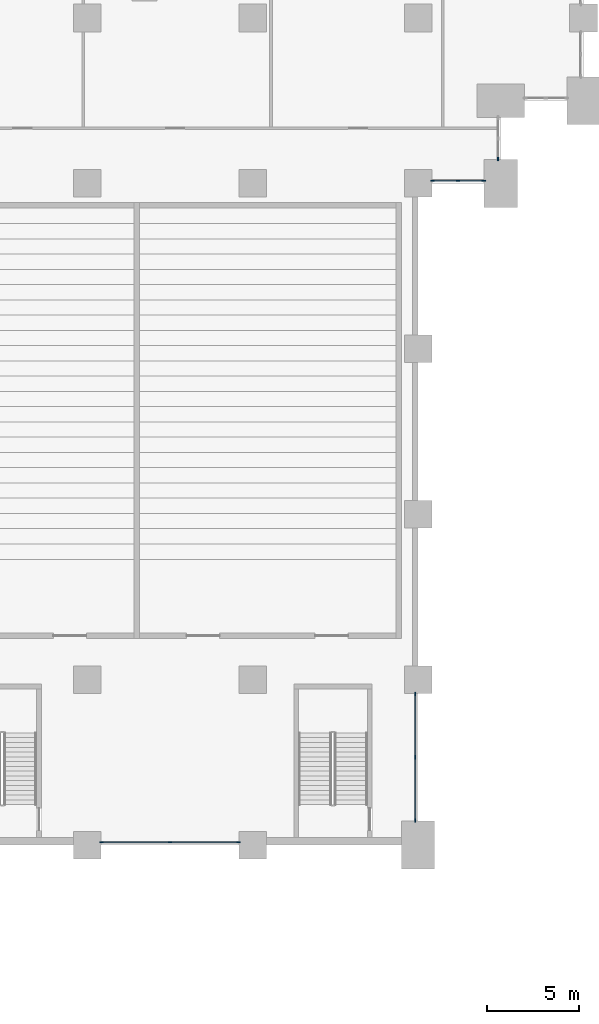
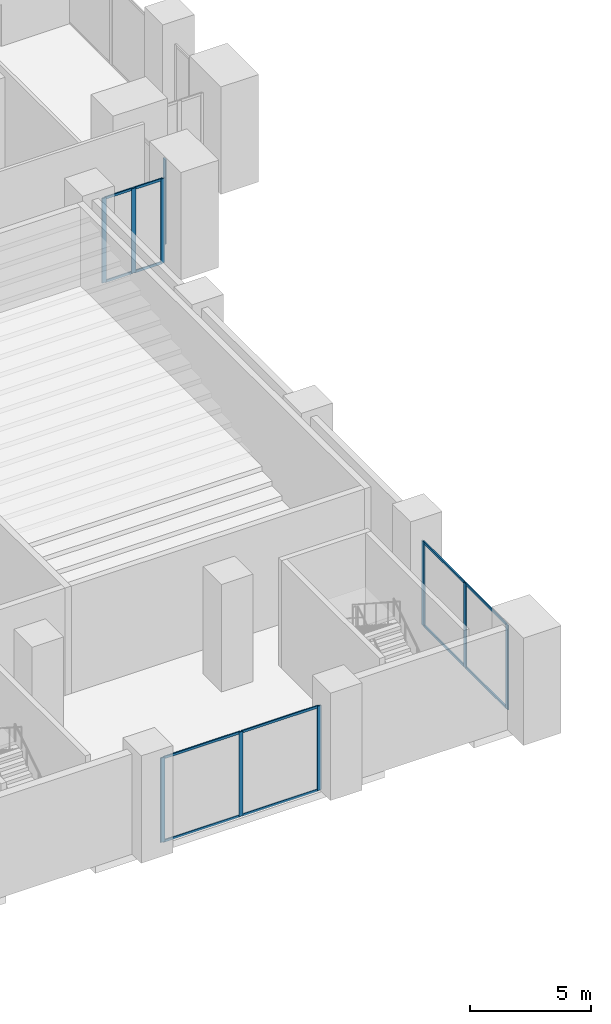
# One storey, part 5 of 44: 22 members, 4 elements without a shape of their own.
"""IFC4 building model written with IfcOpenShell, lengths in metres."""

import ifcopenshell
import ifcopenshell.guid

model = None  # the IFC model being written
_history = None  # IfcOwnerHistory: only IFC2X3 demands one
_inside = {}  # id of a spatial element -> (the spatial element, [elements in it])
_under = {}  # id of a project, library or spatial element -> (it, [spatial elements below it])
_declared = {}  # id of a project -> (the project, [libraries it declares])
_typed = {}  # id of a type object -> (the type object, [elements of that type])
_made_of = {}  # id of a material, layer set ... -> (it, [elements and type objects made of it])


def new_model(schema):
    """Start an empty IFC model of exactly this schema.

    Asked for "IFC4X3", IfcOpenShell would pick the latest addendum, in which some entities
    have other attributes; the version numbers below select the first issue.
    IFC2X3 requires an IfcOwnerHistory on every rooted entity: one is made here for all.
    """
    global model, _history
    if schema == "IFC4X3":
        model = ifcopenshell.file(schema_version=(4, 3, 0, 0))
    else:
        model = ifcopenshell.file(schema=schema)
    _inside.clear()
    _under.clear()
    _declared.clear()
    _typed.clear()
    _made_of.clear()
    _history = None
    if model.schema == "IFC2X3":
        org = make("IfcOrganization", Name="unknown")
        user = make(
            "IfcPersonAndOrganization",
            ThePerson=make("IfcPerson", FamilyName="unknown"),
            TheOrganization=org,
        )
        app = make(
            "IfcApplication",
            ApplicationDeveloper=org,
            Version="unknown",
            ApplicationFullName="unknown",
            ApplicationIdentifier="unknown",
        )
        _history = make(
            "IfcOwnerHistory",
            OwningUser=user,
            OwningApplication=app,
            ChangeAction="ADDED",
            CreationDate=0,
        )
    return model


def make(cls, **values):
    """One entity of the class cls with the attributes given. An attribute that is None is left unset."""
    return model.create_entity(
        cls, **{name: value for name, value in values.items() if value is not None}
    )


def rooted(cls, **values):
    """An entity with a GlobalId (a new one), such as an element, a storey or a relation."""
    return make(cls, GlobalId=ifcopenshell.guid.new(), OwnerHistory=_history, **values)


def si_unit(unit_type, name, prefix=None):
    """IfcSIUnit, for example si_unit("LENGTHUNIT", "METRE", prefix="MILLI")."""
    return make("IfcSIUnit", UnitType=unit_type, Prefix=prefix, Name=name)


def assignment(units):
    """IfcUnitAssignment: the units of a project."""
    return None if units is None else make("IfcUnitAssignment", Units=units)


def point(xyz):
    """IfcCartesianPoint."""
    return None if xyz is None else make("IfcCartesianPoint", Coordinates=xyz)


def direction(xyz):
    """IfcDirection."""
    return None if xyz is None else make("IfcDirection", DirectionRatios=xyz)


def frame(location, z_axis=None, x_axis=None):
    """IfcAxis2Placement3D, a coordinate frame: its origin and axes. An axis left out is left unset."""
    return make(
        "IfcAxis2Placement3D",
        Location=point(location),
        Axis=direction(z_axis),
        RefDirection=direction(x_axis),
    )


def frame_2d(location, x_axis=None):
    """IfcAxis2Placement2D, a coordinate frame in the plane: its origin and x axis."""
    return make(
        "IfcAxis2Placement2D", Location=point(location), RefDirection=direction(x_axis)
    )


def origin():
    """The frame at (0, 0, 0) with its axes left unset."""
    return frame((0.0, 0.0, 0.0))


def origin_2d():
    """The frame at (0, 0) in the plane with its x axis left unset."""
    return frame_2d((0.0, 0.0))


def place(relative_to, where):
    """IfcLocalPlacement: puts the frame where relative to a parent placement (None: the world)."""
    return make(
        "IfcLocalPlacement", PlacementRelTo=relative_to, RelativePlacement=where
    )


def context(
    kind, dimensions, precision=None, world=None, true_north=None, identifier=None
):
    """IfcGeometricRepresentationContext, for example the 3D "Model" context."""
    return make(
        "IfcGeometricRepresentationContext",
        ContextIdentifier=identifier,
        ContextType=kind,
        CoordinateSpaceDimension=dimensions,
        Precision=precision,
        WorldCoordinateSystem=world,
        TrueNorth=true_north,
    )


def subcontext(parent, identifier, kind, view, scale=None):
    """IfcGeometricRepresentationSubContext, for example "Body" below "Model"."""
    return make(
        "IfcGeometricRepresentationSubContext",
        ContextIdentifier=identifier,
        ContextType=kind,
        ParentContext=parent,
        TargetScale=scale,
        TargetView=view,
    )


def project(units=None, contexts=None):
    """IfcProject with its units and contexts."""
    return rooted(
        "IfcProject",
        Name="project",
        RepresentationContexts=contexts,
        UnitsInContext=assignment(units),
    )


def spatial(cls, under=None, at=None, **own):
    """A site, building, storey or space (cls), placed at a placement, below another one or the project."""
    s = rooted(cls, ObjectPlacement=at, **own)
    if under is not None:
        _under.setdefault(under.id(), (under, []))[1].append(s)
    return s


def profile(cls, at=None, kind="AREA", **sizes):
    """A parametric profile (cls). Its sizes go by their IFC names, for example OverallWidth=200.0."""
    return make(cls, ProfileType=kind, Position=at, **sizes)


def rectangle(**sizes):
    """IfcRectangleProfileDef."""
    return profile("IfcRectangleProfileDef", **sizes)


def extrude(swept, where, along, depth):
    """IfcExtrudedAreaSolid: the profile swept, set in the frame where, extruded along a direction by depth."""
    return make(
        "IfcExtrudedAreaSolid",
        SweptArea=swept,
        Position=where,
        ExtrudedDirection=direction(along),
        Depth=depth,
    )


def shape(context_of_items, identifier, shape_type, items):
    """IfcShapeRepresentation: the items that make up one representation, for example the "Body"."""
    return make(
        "IfcShapeRepresentation",
        ContextOfItems=context_of_items,
        RepresentationIdentifier=identifier,
        RepresentationType=shape_type,
        Items=items,
    )


def material(Name=None, Category=None):
    """IfcMaterial."""
    return make("IfcMaterial", Name=Name, Category=Category)


def material_profile(
    of_material, cross_section, Name=None, Category=None, Priority=None
):
    """IfcMaterialProfile: a cross section and its material."""
    return make(
        "IfcMaterialProfile",
        Name=Name,
        Material=of_material,
        Profile=cross_section,
        Priority=Priority,
        Category=Category,
    )


def profile_set(profiles, Name=None, composite=None):
    """IfcMaterialProfileSet."""
    return make(
        "IfcMaterialProfileSet",
        Name=Name,
        MaterialProfiles=profiles,
        CompositeProfile=composite,
    )


def made_of(thing, what):
    """Note that an element or type object is made of a material, layer set ...; save() writes the relation."""
    if what is not None:
        _made_of.setdefault(what.id(), (what, []))[1].append(thing)
    return thing


def type_object(cls, material=None, **own):
    """A type object (cls), such as IfcWallType, which elements share."""
    return made_of(rooted(cls, **own), material)


def element(
    cls,
    number,
    at=None,
    inside=None,
    cuts=None,
    type_object=None,
    material=None,
    context=None,
    identifier="Body",
    shape_type=None,
    held_by="IfcProductDefinitionShape",
    body=None,
    shapes=None,
    **own,
):
    """One element of the class cls, such as IfcWall. Its Tag is "e" and its number.

    at: its placement. inside: the storey or other place that contains it. cuts: it is an
    opening in that element (IfcRelVoidsElement). A single representation is given by context,
    identifier, shape_type and body (its items); several are given by shapes. held_by: the class
    of the entity that holds the representations. save() writes the other relations.
    """
    e = rooted(cls, Tag="e%d" % number, ObjectPlacement=at, **own)
    if body is not None:
        shapes = [shape(context, identifier, shape_type, body)]
    if shapes is not None:
        e.Representation = make(held_by, Representations=shapes)
    if inside is not None:
        _inside.setdefault(inside.id(), (inside, []))[1].append(e)
    if cuts is not None:
        rooted(
            "IfcRelVoidsElement", RelatingBuildingElement=cuts, RelatedOpeningElement=e
        )
    if type_object is not None:
        _typed.setdefault(type_object.id(), (type_object, []))[1].append(e)
    return made_of(e, material)


def aggregate(whole, parts):
    """IfcRelAggregates: a whole, such as a stair, and the parts it consists of."""
    return rooted("IfcRelAggregates", RelatingObject=whole, RelatedObjects=parts)


def save(model, path):
    """Write the relations noted so far, then the file.

    IfcRelAggregates (storeys below a building ...), IfcRelContainedInSpatialStructure (elements
    in a storey), IfcRelDefinesByType, IfcRelAssociatesMaterial and IfcRelDeclares: one each for
    every whole, place, type object, material and project.
    """
    for whole, parts in _under.values():
        aggregate(whole, parts)
    for where, things in _inside.values():
        rooted(
            "IfcRelContainedInSpatialStructure",
            RelatedElements=things,
            RelatingStructure=where,
        )
    for kind, things in _typed.values():
        rooted("IfcRelDefinesByType", RelatedObjects=things, RelatingType=kind)
    for what, things in _made_of.values():
        rooted("IfcRelAssociatesMaterial", RelatedObjects=things, RelatingMaterial=what)
    for by, libraries in _declared.values():
        rooted("IfcRelDeclares", RelatingContext=by, RelatedDefinitions=libraries)
    model.write(path)


model = new_model("IFC4")

# Units and contexts
model_context = context("Model", 3, precision=1e-05, world=origin(), true_north=direction((0.0, 1.0)))
body_context = subcontext(model_context, "Body", "Model", "MODEL_VIEW")
ifc_project = project(units=[si_unit("LENGTHUNIT", "METRE"), si_unit("AREAUNIT", "SQUARE_METRE"), si_unit("VOLUMEUNIT", "CUBIC_METRE"), si_unit("PLANEANGLEUNIT", "RADIAN"), si_unit("MASSUNIT", "GRAM", prefix="KILO")], contexts=[model_context])

# Site, building, storey
site_placement = place(None, origin())
site = spatial("IfcSite", under=ifc_project, at=site_placement, CompositionType="ELEMENT")
building_placement = place(site_placement, origin())
building = spatial("IfcBuilding", under=site, at=building_placement, Name="Hunhe Ridgeline Campus", CompositionType="ELEMENT")
storey_placement = place(building_placement, frame((0.0, 0.0, 6.0)))
storey = spatial("IfcBuildingStorey", under=building, at=storey_placement, Name="L01", CompositionType="ELEMENT", Elevation=6.0)

# Curtain wall, members
ifc_material_1 = material(Name="Aluminium and glass", Category="aluminium")
curtain_wall_type = type_object("IfcCurtainWallType", Name="Podium curtain wall CW-2", PredefinedType="NOTDEFINED", material=ifc_material_1)
curtain_wall_1_placement = place(storey_placement, origin())
curtain_wall_1 = element("IfcCurtainWall", 1, at=curtain_wall_1_placement, inside=storey, type_object=curtain_wall_type, Name="L01 podium curtain wall 1", PredefinedType="NOTDEFINED")
ifc_material_2 = material(Name="Aluminium", Category="aluminium")
ifc_material_profile_1 = material_profile(ifc_material_2, rectangle(XDim=0.06005859375, YDim=0.199951171875, at=origin_2d()))
ifc_profile_set_1 = profile_set([ifc_material_profile_1], Name="Aluminium")
member_type_1 = type_object("IfcMemberType", Name="CW-2 mullion 60x200", PredefinedType="MULLION", material=ifc_profile_set_1)
member_1_placement = place(storey_placement, frame((90.780029296875, 54.14990234375, 0.0), z_axis=(0.0, 0.0, 1.0), x_axis=(0.0, 1.0, 0.0)))
member_1 = element("IfcMember", 2, at=member_1_placement, type_object=member_type_1, Name="CW2 mullion 1", PredefinedType="MULLION", context=body_context, shape_type="SweptSolid", body=[
    extrude(rectangle(XDim=0.06005859375, YDim=0.199951171875, at=origin_2d()), origin(), (0.0, 0.0, 1.0), 4.25),
])
member_2_placement = place(storey_placement, frame((92.175048828125, 54.14990234375, 0.0), z_axis=(0.0, 0.0, 1.0), x_axis=(0.0, 1.0, 0.0)))
member_2 = element("IfcMember", 3, at=member_2_placement, type_object=member_type_1, Name="CW2 mullion 2", PredefinedType="MULLION", context=body_context, shape_type="SweptSolid", body=[
    extrude(rectangle(XDim=0.06005859375, YDim=0.199951171875, at=origin_2d()), origin(), (0.0, 0.0, 1.0), 4.25),
])
member_3_placement = place(storey_placement, frame((93.570068359375, 54.14990234375, 0.0), z_axis=(0.0, 0.0, 1.0), x_axis=(0.0, 1.0, 0.0)))
member_3 = element("IfcMember", 4, at=member_3_placement, type_object=member_type_1, Name="CW2 mullion 3", PredefinedType="MULLION", context=body_context, shape_type="SweptSolid", body=[
    extrude(rectangle(XDim=0.06005859375, YDim=0.199951171875, at=origin_2d()), origin(), (0.0, 0.0, 1.0), 4.25),
])

# Curtain wall, member
curtain_wall_2_placement = place(storey_placement, origin())
curtain_wall_2 = element("IfcCurtainWall", 5, at=curtain_wall_2_placement, inside=storey, type_object=curtain_wall_type, Name="L01 podium curtain wall 2", PredefinedType="NOTDEFINED")
member_4_placement = place(storey_placement, frame((94.35009765625, 55.330078125, 0.0), z_axis=(0.0, 0.0, 1.0), x_axis=(-1.0, 0.0, 0.0)))
member_4 = element("IfcMember", 6, at=member_4_placement, type_object=member_type_1, Name="CW2 mullion 1", PredefinedType="MULLION", context=body_context, shape_type="SweptSolid", body=[
    extrude(rectangle(XDim=0.06005859375, YDim=0.199951171875, at=origin_2d()), origin(), (0.0, 0.0, 1.0), 4.25),
])
aggregate(curtain_wall_2, [member_4])

# Curtain wall, members
curtain_wall_3_placement = place(storey_placement, origin())
curtain_wall_3 = element("IfcCurtainWall", 7, at=curtain_wall_3_placement, inside=storey, type_object=curtain_wall_type, Name="L01 podium curtain wall 19", PredefinedType="NOTDEFINED")
member_5_placement = place(storey_placement, frame((72.780029296875, 18.14990234375, 0.0), z_axis=(0.0, 0.0, 1.0), x_axis=(0.0, 1.0, 0.0)))
member_5 = element("IfcMember", 8, at=member_5_placement, type_object=member_type_1, Name="CW2 mullion 1", PredefinedType="MULLION", context=body_context, shape_type="SweptSolid", body=[
    extrude(rectangle(XDim=0.06005859375, YDim=0.199951171875, at=origin_2d()), origin(), (0.0, 0.0, 1.0), 4.25),
])
member_6_placement = place(storey_placement, frame((76.5, 18.14990234375, 0.0), z_axis=(0.0, 0.0, 1.0), x_axis=(0.0, 1.0, 0.0)))
member_6 = element("IfcMember", 9, at=member_6_placement, type_object=member_type_1, Name="CW2 mullion 2", PredefinedType="MULLION", context=body_context, shape_type="SweptSolid", body=[
    extrude(rectangle(XDim=0.06005859375, YDim=0.199951171875, at=origin_2d()), origin(), (0.0, 0.0, 1.0), 4.25),
])
member_7_placement = place(storey_placement, frame((80.219970703125, 18.14990234375, 0.0), z_axis=(0.0, 0.0, 1.0), x_axis=(0.0, 1.0, 0.0)))
member_7 = element("IfcMember", 10, at=member_7_placement, type_object=member_type_1, Name="CW2 mullion 3", PredefinedType="MULLION", context=body_context, shape_type="SweptSolid", body=[
    extrude(rectangle(XDim=0.06005859375, YDim=0.199951171875, at=origin_2d()), origin(), (0.0, 0.0, 1.0), 4.25),
])

curtain_wall_4_placement = place(storey_placement, origin())
curtain_wall_4 = element("IfcCurtainWall", 11, at=curtain_wall_4_placement, inside=storey, type_object=curtain_wall_type, Name="L01 podium curtain wall 21", PredefinedType="NOTDEFINED")
member_8_placement = place(storey_placement, frame((89.85009765625, 19.330078125, 0.0), z_axis=(0.0, 0.0, 1.0), x_axis=(-1.0, 0.0, 0.0)))
member_8 = element("IfcMember", 12, at=member_8_placement, type_object=member_type_1, Name="CW2 mullion 1", PredefinedType="MULLION", context=body_context, shape_type="SweptSolid", body=[
    extrude(rectangle(XDim=0.06005859375, YDim=0.199951171875, at=origin_2d()), origin(), (0.0, 0.0, 1.0), 4.25),
])
member_9_placement = place(storey_placement, frame((89.85009765625, 22.77490234375, 0.0), z_axis=(0.0, 0.0, 1.0), x_axis=(-1.0, 0.0, 0.0)))
member_9 = element("IfcMember", 13, at=member_9_placement, type_object=member_type_1, Name="CW2 mullion 2", PredefinedType="MULLION", context=body_context, shape_type="SweptSolid", body=[
    extrude(rectangle(XDim=0.06005859375, YDim=0.199951171875, at=origin_2d()), origin(), (0.0, 0.0, 1.0), 4.25),
])
member_10_placement = place(storey_placement, frame((89.85009765625, 26.219970703125, 0.0), z_axis=(0.0, 0.0, 1.0), x_axis=(-1.0, 0.0, 0.0)))
member_10 = element("IfcMember", 14, at=member_10_placement, type_object=member_type_1, Name="CW2 mullion 3", PredefinedType="MULLION", context=body_context, shape_type="SweptSolid", body=[
    extrude(rectangle(XDim=0.06005859375, YDim=0.199951171875, at=origin_2d()), origin(), (0.0, 0.0, 1.0), 4.25),
])

# Member
ifc_material_profile_2 = material_profile(ifc_material_2, rectangle(XDim=0.06005859375, YDim=0.1201171875, at=origin_2d()))
ifc_profile_set_2 = profile_set([ifc_material_profile_2], Name="Aluminium")
member_type_2 = type_object("IfcMemberType", Name="CW-2 transom 60x120", PredefinedType="USERDEFINED", material=ifc_profile_set_2)
member_11_placement = place(storey_placement, frame((90.81005859375, 54.14990234375, 0.030029296875), z_axis=(1.0, 0.0, 0.0), x_axis=(0.0, 1.0, 0.0)))
member_11 = element("IfcMember", 15, at=member_11_placement, type_object=member_type_2, Name="CW2 transom 1.1", ObjectType="TRANSOM", PredefinedType="USERDEFINED", context=body_context, shape_type="SweptSolid", body=[
    extrude(rectangle(XDim=0.06005859375, YDim=0.1201171875, at=origin_2d()), origin(), (0.0, 0.0, 1.0), 1.3349609375),
])

member_12_placement = place(storey_placement, frame((90.81005859375, 54.14990234375, 4.219970703125), z_axis=(1.0, 0.0, 0.0), x_axis=(0.0, 1.0, 0.0)))
member_12 = element("IfcMember", 16, at=member_12_placement, type_object=member_type_2, Name="CW2 transom 1.2", ObjectType="TRANSOM", PredefinedType="USERDEFINED", context=body_context, shape_type="SweptSolid", body=[
    extrude(rectangle(XDim=0.06005859375, YDim=0.1201171875, at=origin_2d()), origin(), (0.0, 0.0, 1.0), 1.3349609375),
])

member_13_placement = place(storey_placement, frame((92.205078125, 54.14990234375, 0.030029296875), z_axis=(1.0, 0.0, 0.0), x_axis=(0.0, 1.0, 0.0)))
member_13 = element("IfcMember", 17, at=member_13_placement, type_object=member_type_2, Name="CW2 transom 2.1", ObjectType="TRANSOM", PredefinedType="USERDEFINED", context=body_context, shape_type="SweptSolid", body=[
    extrude(rectangle(XDim=0.06005859375, YDim=0.1201171875, at=origin_2d()), origin(), (0.0, 0.0, 1.0), 1.3349609375),
])

member_14_placement = place(storey_placement, frame((92.205078125, 54.14990234375, 4.219970703125), z_axis=(1.0, 0.0, 0.0), x_axis=(0.0, 1.0, 0.0)))
member_14 = element("IfcMember", 18, at=member_14_placement, type_object=member_type_2, Name="CW2 transom 2.2", ObjectType="TRANSOM", PredefinedType="USERDEFINED", context=body_context, shape_type="SweptSolid", body=[
    extrude(rectangle(XDim=0.06005859375, YDim=0.1201171875, at=origin_2d()), origin(), (0.0, 0.0, 1.0), 1.3349609375),
])

aggregate(curtain_wall_1, [member_1, member_2, member_3, member_11, member_12, member_13, member_14])

member_15_placement = place(storey_placement, frame((72.81005859375, 18.14990234375, 0.030029296875), z_axis=(1.0, 0.0, 0.0), x_axis=(0.0, 1.0, 0.0)))
member_15 = element("IfcMember", 19, at=member_15_placement, type_object=member_type_2, Name="CW2 transom 1.1", ObjectType="TRANSOM", PredefinedType="USERDEFINED", context=body_context, shape_type="SweptSolid", body=[
    extrude(rectangle(XDim=0.06005859375, YDim=0.1201171875, at=origin_2d()), origin(), (0.0, 0.0, 1.0), 3.659912109375),
])

member_16_placement = place(storey_placement, frame((72.81005859375, 18.14990234375, 4.219970703125), z_axis=(1.0, 0.0, 0.0), x_axis=(0.0, 1.0, 0.0)))
member_16 = element("IfcMember", 20, at=member_16_placement, type_object=member_type_2, Name="CW2 transom 1.2", ObjectType="TRANSOM", PredefinedType="USERDEFINED", context=body_context, shape_type="SweptSolid", body=[
    extrude(rectangle(XDim=0.06005859375, YDim=0.1201171875, at=origin_2d()), origin(), (0.0, 0.0, 1.0), 3.659912109375),
])

member_17_placement = place(storey_placement, frame((76.530029296875, 18.14990234375, 0.030029296875), z_axis=(1.0, 0.0, 0.0), x_axis=(0.0, 1.0, 0.0)))
member_17 = element("IfcMember", 21, at=member_17_placement, type_object=member_type_2, Name="CW2 transom 2.1", ObjectType="TRANSOM", PredefinedType="USERDEFINED", context=body_context, shape_type="SweptSolid", body=[
    extrude(rectangle(XDim=0.06005859375, YDim=0.1201171875, at=origin_2d()), origin(), (0.0, 0.0, 1.0), 3.659912109375),
])

member_18_placement = place(storey_placement, frame((76.530029296875, 18.14990234375, 4.219970703125), z_axis=(1.0, 0.0, 0.0), x_axis=(0.0, 1.0, 0.0)))
member_18 = element("IfcMember", 22, at=member_18_placement, type_object=member_type_2, Name="CW2 transom 2.2", ObjectType="TRANSOM", PredefinedType="USERDEFINED", context=body_context, shape_type="SweptSolid", body=[
    extrude(rectangle(XDim=0.06005859375, YDim=0.1201171875, at=origin_2d()), origin(), (0.0, 0.0, 1.0), 3.659912109375),
])

aggregate(curtain_wall_3, [member_5, member_6, member_7, member_15, member_16, member_17, member_18])

member_19_placement = place(storey_placement, frame((89.85009765625, 19.360107421875, 0.030029296875), z_axis=(0.0, 1.0, 0.0), x_axis=(-1.0, 0.0, 0.0)))
member_19 = element("IfcMember", 23, at=member_19_placement, type_object=member_type_2, Name="CW2 transom 1.1", ObjectType="TRANSOM", PredefinedType="USERDEFINED", context=body_context, shape_type="SweptSolid", body=[
    extrude(rectangle(XDim=0.06005859375, YDim=0.1201171875, at=origin_2d()), origin(), (0.0, 0.0, 1.0), 3.385009765625),
])

member_20_placement = place(storey_placement, frame((89.85009765625, 19.360107421875, 4.219970703125), z_axis=(0.0, 1.0, 0.0), x_axis=(-1.0, 0.0, 0.0)))
member_20 = element("IfcMember", 24, at=member_20_placement, type_object=member_type_2, Name="CW2 transom 1.2", ObjectType="TRANSOM", PredefinedType="USERDEFINED", context=body_context, shape_type="SweptSolid", body=[
    extrude(rectangle(XDim=0.06005859375, YDim=0.1201171875, at=origin_2d()), origin(), (0.0, 0.0, 1.0), 3.385009765625),
])

member_21_placement = place(storey_placement, frame((89.85009765625, 22.804931640625, 0.030029296875), z_axis=(0.0, 1.0, 0.0), x_axis=(-1.0, 0.0, 0.0)))
member_21 = element("IfcMember", 25, at=member_21_placement, type_object=member_type_2, Name="CW2 transom 2.1", ObjectType="TRANSOM", PredefinedType="USERDEFINED", context=body_context, shape_type="SweptSolid", body=[
    extrude(rectangle(XDim=0.06005859375, YDim=0.1201171875, at=origin_2d()), origin(), (0.0, 0.0, 1.0), 3.385009765625),
])

member_22_placement = place(storey_placement, frame((89.85009765625, 22.804931640625, 4.219970703125), z_axis=(0.0, 1.0, 0.0), x_axis=(-1.0, 0.0, 0.0)))
member_22 = element("IfcMember", 26, at=member_22_placement, type_object=member_type_2, Name="CW2 transom 2.2", ObjectType="TRANSOM", PredefinedType="USERDEFINED", context=body_context, shape_type="SweptSolid", body=[
    extrude(rectangle(XDim=0.06005859375, YDim=0.1201171875, at=origin_2d()), origin(), (0.0, 0.0, 1.0), 3.385009765625),
])

aggregate(curtain_wall_4, [member_8, member_9, member_10, member_19, member_20, member_21, member_22])

save(model, "model.ifc")
